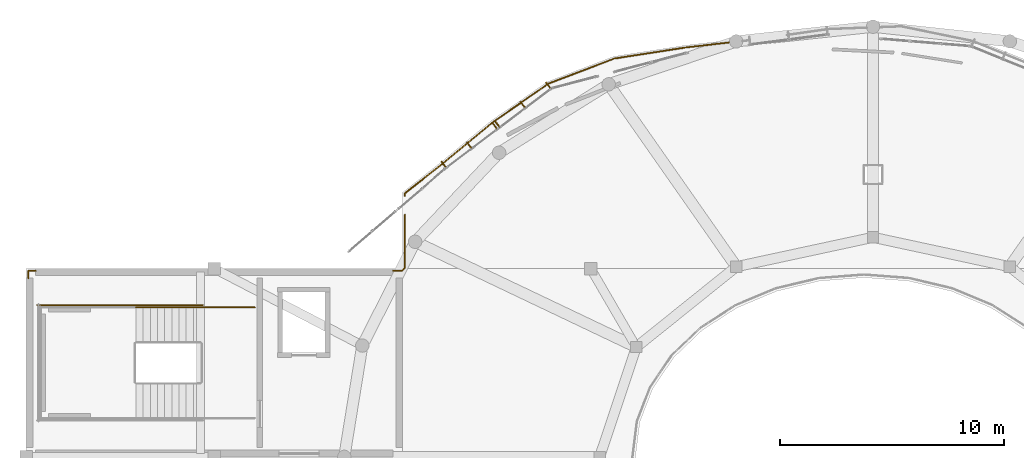
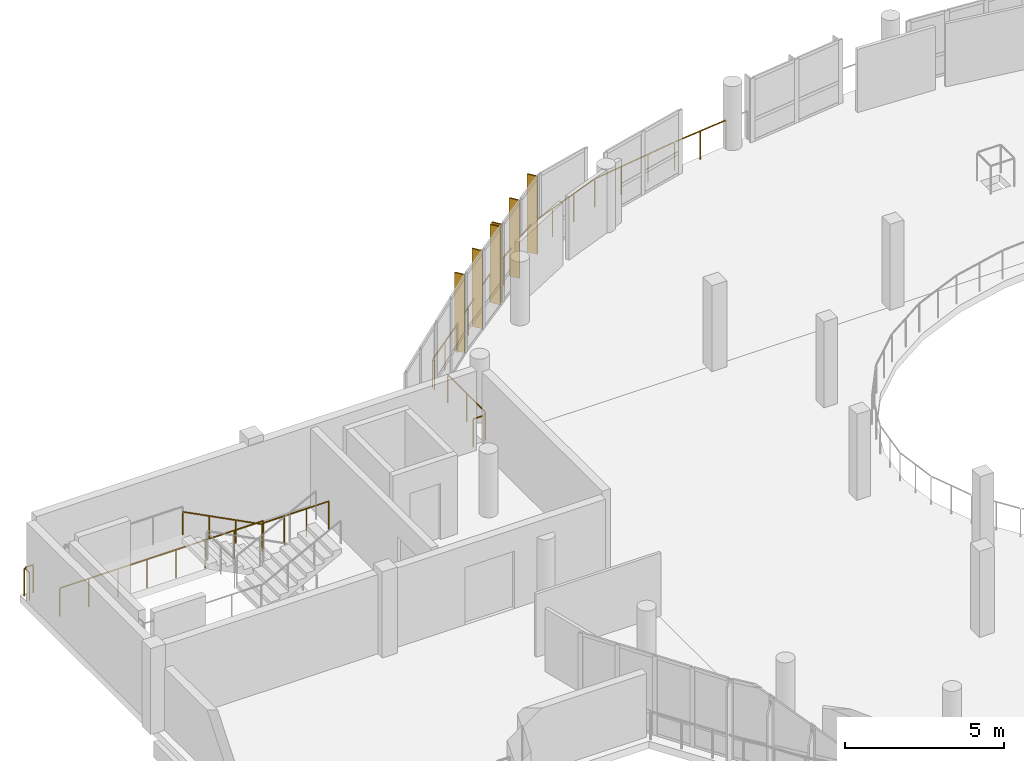
# One storey, part 37 of 43: 6 railings, 6 shading devices.
"""IFC4 building model written with IfcOpenShell, lengths in metres."""

from ifc_helpers import new_model, si_unit, derived_unit, direction, frame, origin, origin_2d, place, context, subcontext, project, spatial, rectangle, circle, extrude, material, type_object, element, save


model = new_model("IFC4")

# Units and contexts
model_context = context("Model", 3, precision=1e-05, world=origin(), true_north=direction((0.0, 1.0)))
body_context = subcontext(model_context, "Body", "Model", "MODEL_VIEW")
ifc_project = project(units=[si_unit("LENGTHUNIT", "METRE"), si_unit("AREAUNIT", "SQUARE_METRE"), si_unit("VOLUMEUNIT", "CUBIC_METRE"), si_unit("PLANEANGLEUNIT", "RADIAN"), si_unit("MASSUNIT", "GRAM", prefix="KILO"), derived_unit("THERMALTRANSMITTANCEUNIT", [(si_unit("POWERUNIT", "WATT"), 1), (si_unit("LENGTHUNIT", "METRE"), -2), (si_unit("THERMODYNAMICTEMPERATUREUNIT", "KELVIN"), -1)])], contexts=[model_context])

# Site, building, storey
site_placement = place(None, origin())
site = spatial("IfcSite", under=ifc_project, at=site_placement, CompositionType="ELEMENT")
building_placement = place(site_placement, origin())
building = spatial("IfcBuilding", under=site, at=building_placement, Name="Elbkamm Science Centre", CompositionType="ELEMENT")
storey_placement = place(building_placement, frame((0.0, 0.0, 18.300048828125)))
storey = spatial("IfcBuildingStorey", under=building, at=storey_placement, Name="L04", CompositionType="ELEMENT", Elevation=18.300048828125)

# Railings
ifc_material_1 = material(Name="Stainless steel EN 1.4401", Category="steel")
railing_type_1 = type_object("IfcRailingType", Name="RAIL-EXT-GUARD-1100", PredefinedType="GUARDRAIL", material=ifc_material_1)
railing_1_placement = place(storey_placement, frame((25.300048828125, 75.179931640625, 0.0)))
element("IfcRailing", 1, at=railing_1_placement, inside=storey, type_object=railing_type_1, Name="L04 Slab Edge Perimeter Guard 095", PredefinedType="GUARDRAIL", context=body_context, shape_type="SweptSolid", body=[
    extrude(circle(Radius=0.02392578125, at=origin_2d()), frame((0.0, 0.0, 1.078125), z_axis=(0.0, 1.0, 0.0), x_axis=(-1.0, 0.0, 0.0)), (0.0, 0.0, 1.0), 0.2900390625),
    extrude(circle(Radius=0.02392578125, at=origin_2d()), frame((0.030029296875, 0.320068359375, 1.078125), z_axis=(1.0, 0.0, 0.0), x_axis=(0.0, 1.0, 0.0)), (0.0, 0.0, 1.0), 0.2900390625),
    extrude(circle(Radius=0.02001953125, at=origin_2d()), origin(), (0.0, 0.0, 1.0), 1.048095703125),
    extrude(circle(Radius=0.02001953125, at=origin_2d()), frame((0.0, 0.320068359375, 0.0)), (0.0, 0.0, 1.0), 1.048095703125),
    extrude(circle(Radius=0.02001953125, at=origin_2d()), frame((0.320068359375, 0.320068359375, 0.0)), (0.0, 0.0, 1.0), 1.048095703125),
])
railing_2_placement = place(storey_placement, frame((41.580078125, 75.5, 0.0)))
element("IfcRailing", 2, at=railing_2_placement, inside=storey, type_object=railing_type_1, Name="L04 Slab Edge Perimeter Guard 096", PredefinedType="GUARDRAIL", context=body_context, shape_type="SweptSolid", body=[
    extrude(circle(Radius=0.02392578125, at=origin_2d()), frame((0.0, 0.0, 1.078125), z_axis=(1.0, 0.0, 0.0), x_axis=(0.0, 1.0, 0.0)), (0.0, 0.0, 1.0), 0.353759765625),
    extrude(circle(Radius=0.02392578125, at=origin_2d()), frame((0.4052734375, 0.02099609375, 1.078125), z_axis=(0.717958847996, 0.69608554976, 0.0), x_axis=(-0.69608554976, 0.717958847996, 0.0)), (0.0, 0.0, 1.0), 0.129638671875),
    extrude(circle(Radius=0.02392578125, at=origin_2d()), frame((0.52001953125, 0.162109375, 1.078125), z_axis=(0.0, 1.0, 0.0), x_axis=(-1.0, 0.0, 0.0)), (0.0, 0.0, 1.0), 2.340576171875),
    extrude(circle(Radius=0.02001953125, at=origin_2d()), origin(), (0.0, 0.0, 1.0), 1.048095703125),
    extrude(circle(Radius=0.02001953125, at=origin_2d()), frame((0.3837890625, 0.0, 0.0)), (0.0, 0.0, 1.0), 1.048095703125),
    extrude(circle(Radius=0.02001953125, at=origin_2d()), frame((0.52001953125, 0.132080078125, 0.0)), (0.0, 0.0, 1.0), 1.048095703125),
    extrude(circle(Radius=0.02001953125, at=origin_2d()), frame((0.52001953125, 1.3173828125, 0.0)), (0.0, 0.0, 1.0), 1.048095703125),
    extrude(circle(Radius=0.02001953125, at=origin_2d()), frame((0.52001953125, 2.502685546875, 0.0)), (0.0, 0.0, 1.0), 1.048095703125),
])
railing_3_placement = place(storey_placement, frame((42.10009765625, 78.844970703125, 0.0)))
element("IfcRailing", 3, at=railing_3_placement, inside=storey, type_object=railing_type_1, Name="L04 Slab Edge Perimeter Guard 097", PredefinedType="GUARDRAIL", context=body_context, shape_type="SweptSolid", body=[
    extrude(circle(Radius=0.02392578125, at=origin_2d()), frame((0.0, 0.0, 1.078125), z_axis=(0.0, 1.0, 0.0), x_axis=(-1.0, 0.0, 0.0)), (0.0, 0.0, 1.0), 0.0849609375),
    extrude(circle(Radius=0.02392578125, at=origin_2d()), frame((0.023681640625, 0.133544921875, 1.078125), z_axis=(0.786383266657, 0.617738907567, 0.0), x_axis=(-0.617738907567, 0.786383266657, 0.0)), (0.0, 0.0, 1.0), 2.027587890625),
    extrude(circle(Radius=0.02392578125, at=origin_2d()), frame((1.664794921875, 1.423583984375, 1.078125), z_axis=(0.770859054203, 0.637005744522, 0.0), x_axis=(-0.637005744522, 0.770859054203, 0.0)), (0.0, 0.0, 1.0), 2.8837890625),
    extrude(circle(Radius=0.02392578125, at=origin_2d()), frame((3.935546875, 3.296875, 1.078125), z_axis=(0.822068116605, 0.569389156607, 0.0), x_axis=(-0.569389156607, 0.822068116605, 0.0)), (0.0, 0.0, 1.0), 2.986572265625),
    extrude(circle(Radius=0.02392578125, at=origin_2d()), frame((6.443359375, 5.025146484375, 1.078125), z_axis=(0.934426206718, 0.356156797208, 0.0), x_axis=(-0.356156797208, 0.934426206718, 0.0)), (0.0, 0.0, 1.0), 3.083740234375),
    extrude(circle(Radius=0.02392578125, at=origin_2d()), frame((9.38232421875, 6.138671875, 1.078125), z_axis=(0.988172714573, 0.153344990703, 0.0), x_axis=(-0.153344990703, 0.988172714573, 0.0)), (0.0, 0.0, 1.0), 3.1591796875),
    extrude(circle(Radius=0.02392578125, at=origin_2d()), frame((12.563720703125, 6.631103515625, 1.078125), z_axis=(0.99344774954, 0.114287221217, 0.0), x_axis=(-0.114287221217, 0.99344774954, 0.0)), (0.0, 0.0, 1.0), 1.97802734375),
    extrude(circle(Radius=0.02001953125, at=origin_2d()), origin(), (0.0, 0.0, 1.0), 1.048095703125),
    extrude(circle(Radius=0.02001953125, at=origin_2d()), frame((0.0, 0.114990234375, 0.0)), (0.0, 0.0, 1.0), 1.048095703125),
    extrude(circle(Radius=0.02001953125, at=origin_2d()), frame((0.82080078125, 0.759765625, 0.0)), (0.0, 0.0, 1.0), 1.048095703125),
    extrude(circle(Radius=0.02001953125, at=origin_2d()), frame((1.6416015625, 1.404541015625, 0.0)), (0.0, 0.0, 1.0), 1.048095703125),
    extrude(circle(Radius=0.02001953125, at=origin_2d()), frame((2.39794921875, 2.029541015625, 0.0)), (0.0, 0.0, 1.0), 1.048095703125),
    extrude(circle(Radius=0.02001953125, at=origin_2d()), frame((3.154541015625, 2.65478515625, 0.0)), (0.0, 0.0, 1.0), 1.048095703125),
    extrude(circle(Radius=0.02001953125, at=origin_2d()), frame((3.910888671875, 3.27978515625, 0.0)), (0.0, 0.0, 1.0), 1.048095703125),
    extrude(circle(Radius=0.02001953125, at=origin_2d()), frame((4.74560546875, 3.85791015625, 0.0)), (0.0, 0.0, 1.0), 1.048095703125),
    extrude(circle(Radius=0.02001953125, at=origin_2d()), frame((5.58056640625, 4.436279296875, 0.0)), (0.0, 0.0, 1.0), 1.048095703125),
    extrude(circle(Radius=0.02001953125, at=origin_2d()), frame((6.415283203125, 5.014404296875, 0.0)), (0.0, 0.0, 1.0), 1.048095703125),
    extrude(circle(Radius=0.02001953125, at=origin_2d()), frame((7.39453125, 5.3876953125, 0.0)), (0.0, 0.0, 1.0), 1.048095703125),
    extrude(circle(Radius=0.02001953125, at=origin_2d()), frame((8.37353515625, 5.7607421875, 0.0)), (0.0, 0.0, 1.0), 1.048095703125),
    extrude(circle(Radius=0.02001953125, at=origin_2d()), frame((9.352783203125, 6.134033203125, 0.0)), (0.0, 0.0, 1.0), 1.048095703125),
    extrude(circle(Radius=0.02001953125, at=origin_2d()), frame((10.4130859375, 6.298583984375, 0.0)), (0.0, 0.0, 1.0), 1.048095703125),
    extrude(circle(Radius=0.02001953125, at=origin_2d()), frame((11.4736328125, 6.463134765625, 0.0)), (0.0, 0.0, 1.0), 1.048095703125),
    extrude(circle(Radius=0.02001953125, at=origin_2d()), frame((12.533935546875, 6.627685546875, 0.0)), (0.0, 0.0, 1.0), 1.048095703125),
    extrude(circle(Radius=0.02001953125, at=origin_2d()), frame((13.53125, 6.742431640625, 0.0)), (0.0, 0.0, 1.0), 1.048095703125),
    extrude(circle(Radius=0.02001953125, at=origin_2d()), frame((14.52880859375, 6.857177734375, 0.0)), (0.0, 0.0, 1.0), 1.048095703125),
])
railing_type_2 = type_object("IfcRailingType", Name="RAIL-GUARD-1100", PredefinedType="GUARDRAIL", material=ifc_material_1)
railing_4_placement = place(storey_placement, frame((35.39990234375, 73.8701171875, 0.0)))
element("IfcRailing", 4, at=railing_4_placement, inside=storey, type_object=railing_type_2, Name="L04 ST-C1 stair guard 8", PredefinedType="GUARDRAIL", context=body_context, shape_type="SweptSolid", body=[
    extrude(circle(Radius=0.02392578125, at=origin_2d()), frame((0.0, 0.0, 1.078125), z_axis=(-1.0, 0.0, 0.0), x_axis=(0.0, -1.0, 0.0)), (0.0, 0.0, 1.0), 2.419921875),
    extrude(circle(Radius=0.02001953125, at=origin_2d()), origin(), (0.0, 0.0, 1.0), 1.048095703125),
    extrude(circle(Radius=0.02001953125, at=origin_2d()), frame((-0.806640625, 0.0, 0.0)), (0.0, 0.0, 1.0), 1.048095703125),
    extrude(circle(Radius=0.02001953125, at=origin_2d()), frame((-1.61328125, 0.0, 0.0)), (0.0, 0.0, 1.0), 1.048095703125),
    extrude(circle(Radius=0.02001953125, at=origin_2d()), frame((-2.419921875, 0.0, 0.0)), (0.0, 0.0, 1.0), 1.048095703125),
])
railing_5_placement = place(storey_placement, frame((33.080078125, 73.969970703125, 0.0)))
element("IfcRailing", 5, at=railing_5_placement, inside=storey, type_object=railing_type_2, Name="L04 ST-C1 stair guard 10", PredefinedType="GUARDRAIL", context=body_context, shape_type="SweptSolid", body=[
    extrude(circle(Radius=0.02392578125, at=origin_2d()), frame((0.0, 0.0, 1.078125), z_axis=(-1.0, 0.0, 0.0), x_axis=(0.0, -1.0, 0.0)), (0.0, 0.0, 1.0), 7.380126953125),
    extrude(circle(Radius=0.02001953125, at=origin_2d()), origin(), (0.0, 0.0, 1.0), 1.048095703125),
    extrude(circle(Radius=0.02001953125, at=origin_2d()), frame((-1.05419921875, 0.0, 0.0)), (0.0, 0.0, 1.0), 1.048095703125),
    extrude(circle(Radius=0.02001953125, at=origin_2d()), frame((-2.108642578125, 0.0, 0.0)), (0.0, 0.0, 1.0), 1.048095703125),
    extrude(circle(Radius=0.02001953125, at=origin_2d()), frame((-3.162841796875, 0.0, 0.0)), (0.0, 0.0, 1.0), 1.048095703125),
    extrude(circle(Radius=0.02001953125, at=origin_2d()), frame((-4.21728515625, 0.0, 0.0)), (0.0, 0.0, 1.0), 1.048095703125),
    extrude(circle(Radius=0.02001953125, at=origin_2d()), frame((-5.271484375, 0.0, 0.0)), (0.0, 0.0, 1.0), 1.048095703125),
    extrude(circle(Radius=0.02001953125, at=origin_2d()), frame((-6.325927734375, 0.0, 0.0)), (0.0, 0.0, 1.0), 1.048095703125),
    extrude(circle(Radius=0.02001953125, at=origin_2d()), frame((-7.380126953125, 0.0, 0.0)), (0.0, 0.0, 1.0), 1.048095703125),
])
railing_type_3 = type_object("IfcRailingType", Name="RAIL-HAND-900", PredefinedType="HANDRAIL", material=ifc_material_1)
railing_6_placement = place(storey_placement, frame((32.97998046875, 73.8701171875, 0.1650390625)))
element("IfcRailing", 6, at=railing_6_placement, inside=storey, type_object=railing_type_3, Name="L04 ST-C1 stair handrail 1", PredefinedType="HANDRAIL", context=body_context, shape_type="SweptSolid", body=[
    extrude(circle(Radius=0.02392578125, at=origin_2d()), frame((0.0, 0.0, 0.8779296875), z_axis=(-0.888812758364, 0.0, 0.458270532076), x_axis=(0.0, -1.0, 0.0)), (0.0, 0.0, 1.0), 3.240234375),
    extrude(circle(Radius=0.02001953125, at=origin_2d()), origin(), (0.0, 0.0, 1.0), 0.847900390625),
    extrude(circle(Radius=0.02001953125, at=origin_2d()), frame((-0.9599609375, 0.0, 0.494873046875)), (0.0, 0.0, 1.0), 0.847900390625),
    extrude(circle(Radius=0.02001953125, at=origin_2d()), frame((-1.919921875, 0.0, 0.989990234375)), (0.0, 0.0, 1.0), 0.847900390625),
    extrude(circle(Radius=0.02001953125, at=origin_2d()), frame((-2.8798828125, 0.0, 1.48486328125)), (0.0, 0.0, 1.0), 0.847900390625),
])

# Shading devices
ifc_material_2 = material(Name="Terracotta-ochre powder-coated aluminium EN AW-6060", Category="masonry")
shading_device_type = type_object("IfcShadingDeviceType", Name="SHD-LOUVRE-350", PredefinedType="USERDEFINED", material=ifc_material_2)
for number, where, z_axis, x_axis, name in (
    (7, (48.501953125, 83.782958984375, 0.0), (0.0, 0.0, 1.0), (-0.602996375444, 0.797743925832, 0.0), "L04 Brise-Soleil Sunshade Fin 0140"),
    (8, (47.362548828125, 82.921630859375, 0.0), (0.0, 0.0, 1.0), (-0.602996375444, 0.797743925832, 0.0), "L04 Brise-Soleil Sunshade Fin 0141"),
    (9, (46.222900390625, 82.060302734375, 0.0), (0.0, 0.0, 1.0), (-0.602996375444, 0.797743925832, 0.0), "L04 Brise-Soleil Sunshade Fin 0142"),
    (10, (46.111328125, 81.975830078125, 0.0), (0.0, 0.0, 1.0), (-0.602996375444, 0.797743925832, 0.0), "L04 Brise-Soleil Sunshade Fin 0143"),
    (11, (44.971923828125, 81.114501953125, 0.0), (0.0, 0.0, 1.0), (-0.602996375444, 0.797743925832, 0.0), "L04 Brise-Soleil Sunshade Fin 0144"),
    (12, (43.83251953125, 80.25341796875, 0.0), (0.0, 0.0, 1.0), (-0.602996375444, 0.797743925832, 0.0), "L04 Brise-Soleil Sunshade Fin 0145"),
):
    element("IfcShadingDevice", number, at=place(storey_placement, frame(where, z_axis=z_axis, x_axis=x_axis)), inside=storey, type_object=shading_device_type, Name=name, ObjectType="LOUVRE", PredefinedType="USERDEFINED", context=body_context, shape_type="SweptSolid", body=[
        extrude(rectangle(XDim=0.35009765625, YDim=0.050048828125, at=origin_2d()), origin(), (0.0, 0.0, 1.0), 2.989990234375),
    ])

save(model, "model.ifc")
